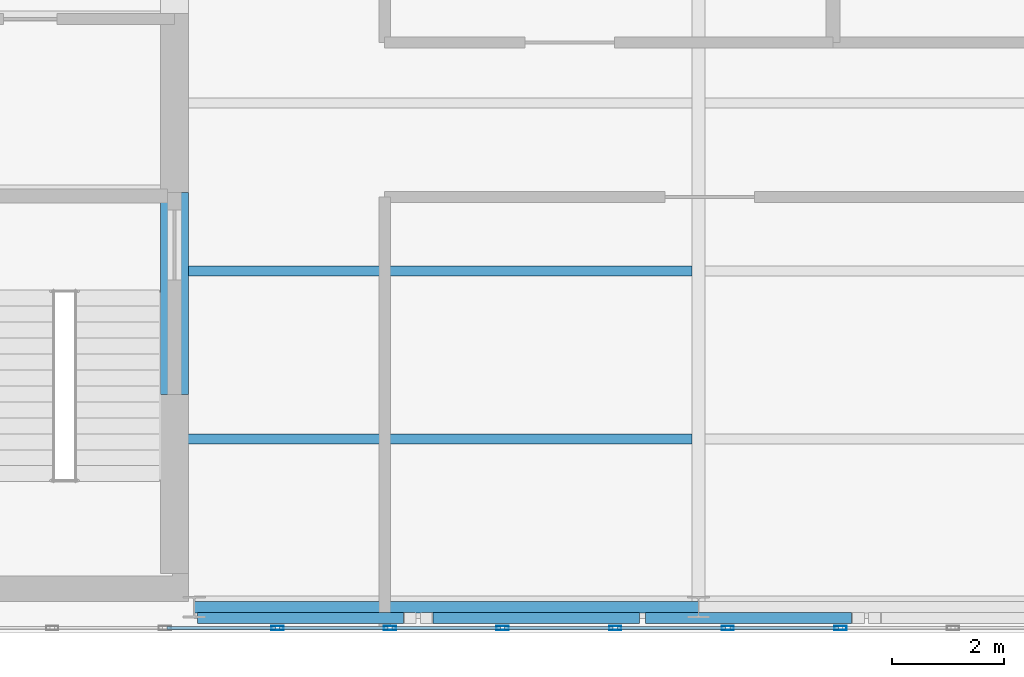
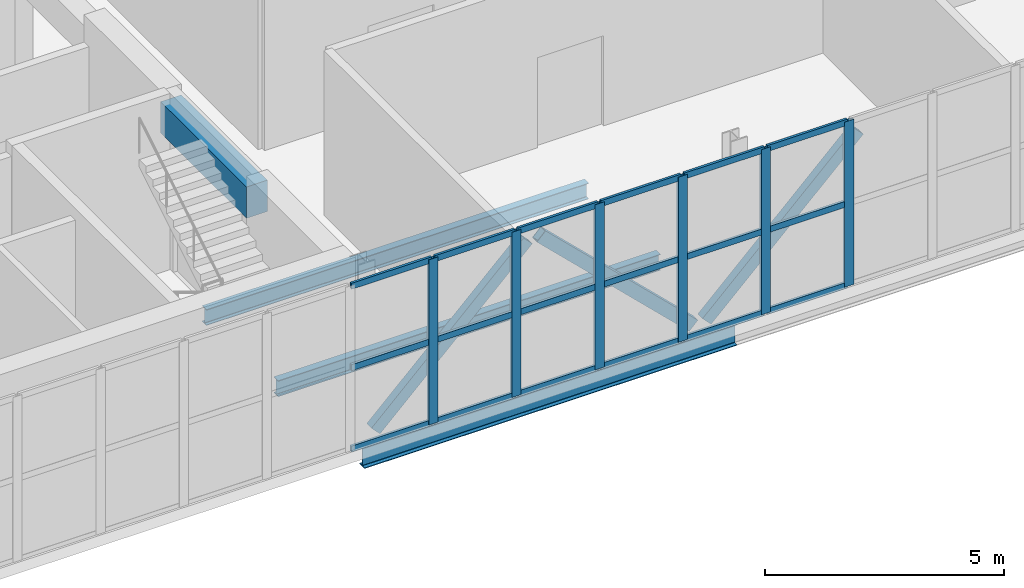
# One storey, part 6 of 21: 27 members, 4 beams, 1 element without a shape of its own.
"""IFC4 building model written with IfcOpenShell, lengths in metres."""

from ifc_helpers import new_model, si_unit, direction, frame, origin, origin_2d, place, context, subcontext, project, spatial, rectangle, hollow_rectangle, i_section, extrude, material, layer, layer_set, material_profile, profile_set, type_object, element, aggregate, save


model = new_model("IFC4")

# Units and contexts
model_context = context("Model", 3, precision=1e-05, world=origin(), true_north=direction((0.0, 1.0)))
body_context = subcontext(model_context, "Body", "Model", "MODEL_VIEW")
ifc_project = project(units=[si_unit("LENGTHUNIT", "METRE"), si_unit("AREAUNIT", "SQUARE_METRE"), si_unit("VOLUMEUNIT", "CUBIC_METRE"), si_unit("PLANEANGLEUNIT", "RADIAN"), si_unit("MASSUNIT", "GRAM", prefix="KILO")], contexts=[model_context])

# Site, building, storey
site_placement = place(None, origin())
site = spatial("IfcSite", under=ifc_project, at=site_placement, CompositionType="ELEMENT")
building_placement = place(site_placement, origin())
building = spatial("IfcBuilding", under=site, at=building_placement, Name="Mawjdan Bourse Tower", CompositionType="ELEMENT")
storey_placement = place(building_placement, frame((0.0, 0.0, 313.199951171875)))
storey = spatial("IfcBuildingStorey", under=building, at=storey_placement, Name="L77", CompositionType="ELEMENT", Elevation=313.199951171875)

# Members
ifc_material_1 = material(Name="Structural Steel S460", Category="steel")
ifc_material_profile_1 = material_profile(ifc_material_1, hollow_rectangle(XDim=0.199951171875, YDim=0.300048828125, WallThickness=0.012451171875, at=origin_2d()), Name="HSS300X200X12.5")
ifc_profile_set_1 = profile_set([ifc_material_profile_1], Name="Structural Steel S460")
member_type_1 = type_object("IfcMemberType", Name="BRC-HSS300X200X12.5", PredefinedType="BRACE", material=ifc_profile_set_1)
for number, where, z_axis, x_axis, name in (
    (1, (24.159912109375, 2.81005859375, 0.199951171875), (0.717762646976, 0.0, 0.696287859011), (0.0, 1.0, 0.0), "L77 Lantern Crown Braced Frame South Diagonal 1"),
    (2, (28.159912109375, 2.81005859375, 3.77001953125), (0.717762646976, 0.0, -0.696287859011), (0.0, 1.0, 0.0), "L77 Lantern Crown Braced Frame South Diagonal 2"),
    (3, (32.159912109375, 2.81005859375, 0.199951171875), (0.717762646976, 0.0, 0.696287859011), (0.0, 1.0, 0.0), "L77 Lantern Crown Braced Frame South Diagonal 3"),
):
    element("IfcMember", number, at=place(storey_placement, frame(where, z_axis=z_axis, x_axis=x_axis)), inside=storey, type_object=member_type_1, Name=name, PredefinedType="BRACE", context=body_context, shape_type="SweptSolid", body=[
        extrude(hollow_rectangle(XDim=0.199951171875, YDim=0.300048828125, WallThickness=0.012451171875, at=origin_2d()), origin(), (0.0, 0.0, 1.0), 5.127197265625),
    ])

# Beams
ifc_material_2 = material(Name="Structural Steel S355", Category="steel")
ifc_material_profile_2 = material_profile(ifc_material_2, i_section(OverallWidth=0.177978515625, OverallDepth=0.406982421875, WebThickness=0.0078125, FlangeThickness=0.0126953125, FilletRadius=0.01025390625, at=origin_2d()), Name="W16X40")
ifc_profile_set_2 = profile_set([ifc_material_profile_2], Name="Structural Steel S355")
beam_type_1 = type_object("IfcBeamType", Name="JST-W16X40", PredefinedType="JOIST", material=ifc_profile_set_2)
for number, where, z_axis, x_axis, name in (
    (4, (23.64990234375, 6.0, -0.4833984375), (1.0, 0.0, 0.0), (0.0, 1.0, 0.0), "L77 East Wing Composite Joist 011"),
    (5, (23.64990234375, 9.0, -0.4833984375), (1.0, 0.0, 0.0), (0.0, 1.0, 0.0), "L77 East Wing Composite Joist 014"),
):
    element("IfcBeam", number, at=place(storey_placement, frame(where, z_axis=z_axis, x_axis=x_axis)), inside=storey, type_object=beam_type_1, Name=name, PredefinedType="JOIST", context=body_context, shape_type="SweptSolid", body=[
        extrude(i_section(OverallWidth=0.177978515625, OverallDepth=0.406982421875, WebThickness=0.0078125, FlangeThickness=0.0126953125, FilletRadius=0.01025390625, at=origin_2d()), origin(), (0.0, 0.0, 1.0), 9.237060546875),
    ])
ifc_material_3 = material(Name="Concrete C70/85", Category="concrete")
ifc_material_profile_3 = material_profile(ifc_material_3, rectangle(XDim=0.5, YDim=0.800048828125, at=origin_2d()), Name="RCB500X800")
ifc_profile_set_3 = profile_set([ifc_material_profile_3], Name="Concrete C70/85")
beam_type_2 = type_object("IfcBeamType", Name="LNT-RCB500X800", PredefinedType="LINTEL", material=ifc_profile_set_3)
beam_1_placement = place(storey_placement, frame((23.64990234375, 6.800048828125, 3.820068359375), z_axis=(0.0, 1.0, 0.0), x_axis=(-1.0, 0.0, 0.0)))
element("IfcBeam", 6, at=beam_1_placement, inside=storey, type_object=beam_type_2, Name="L77 Coupled Core Lintel CB-E1", PredefinedType="LINTEL", context=body_context, shape_type="SweptSolid", body=[
    extrude(rectangle(XDim=0.5, YDim=0.800048828125, at=origin_2d()), origin(), (0.0, 0.0, 1.0), 3.599853515625),
])

# Curtain wall, members
ifc_material_4 = material(Name="Thermally Broken Aluminium and Solar Glass", Category="aluminium")
ifc_layer = layer(ifc_material_4, 0.219970703125)
ifc_layer_set = layer_set([ifc_layer], Name="Thermally Broken Aluminium and Solar Glass")
curtain_wall_type = type_object("IfcCurtainWallType", Name="CW-CRN", PredefinedType="USERDEFINED", material=ifc_layer_set)
curtain_wall_placement = place(storey_placement, origin())
curtain_wall = element("IfcCurtainWall", 7, at=curtain_wall_placement, inside=storey, type_object=curtain_wall_type, Name="L77 Lantern Crown South Curtain Wall", ObjectType="LANTERN GLAZED CROWN", PredefinedType="USERDEFINED")
ifc_material_5 = material(Name="Thermally Broken Anodised Aluminium", Category="aluminium")
ifc_material_profile_4 = material_profile(ifc_material_5, hollow_rectangle(XDim=0.074951171875, YDim=0.219970703125, WallThickness=0.0048828125, at=origin_2d()), Name="ALU-MUL-220X75")
ifc_profile_set_4 = profile_set([ifc_material_profile_4], Name="Thermally Broken Anodised Aluminium")
member_type_2 = type_object("IfcMemberType", Name="MUL-ALU-MUL-220X75", PredefinedType="MULLION", material=ifc_profile_set_4)
member_1_placement = place(storey_placement, frame((25.485595703125, 2.6298828125, 0.0), z_axis=(0.0, 0.0, 1.0), x_axis=(0.0, 1.0, 0.0)))
member_1 = element("IfcMember", 8, at=member_1_placement, type_object=member_type_2, Name="CW-CRN-L77-CRN-S mullion 10", PredefinedType="MULLION", context=body_context, shape_type="SweptSolid", body=[
    extrude(hollow_rectangle(XDim=0.074951171875, YDim=0.219970703125, WallThickness=0.0048828125, at=origin_2d()), origin(), (0.0, 0.0, 1.0), 4.219970703125),
])
member_2_placement = place(storey_placement, frame((27.4951171875, 2.6298828125, 0.0), z_axis=(0.0, 0.0, 1.0), x_axis=(0.0, 1.0, 0.0)))
member_2 = element("IfcMember", 9, at=member_2_placement, type_object=member_type_2, Name="CW-CRN-L77-CRN-S mullion 11", PredefinedType="MULLION", context=body_context, shape_type="SweptSolid", body=[
    extrude(hollow_rectangle(XDim=0.074951171875, YDim=0.219970703125, WallThickness=0.0048828125, at=origin_2d()), origin(), (0.0, 0.0, 1.0), 4.219970703125),
])
member_3_placement = place(storey_placement, frame((29.5048828125, 2.6298828125, 0.0), z_axis=(0.0, 0.0, 1.0), x_axis=(0.0, 1.0, 0.0)))
member_3 = element("IfcMember", 10, at=member_3_placement, type_object=member_type_2, Name="CW-CRN-L77-CRN-S mullion 12", PredefinedType="MULLION", context=body_context, shape_type="SweptSolid", body=[
    extrude(hollow_rectangle(XDim=0.074951171875, YDim=0.219970703125, WallThickness=0.0048828125, at=origin_2d()), origin(), (0.0, 0.0, 1.0), 4.219970703125),
])
member_4_placement = place(storey_placement, frame((31.514404296875, 2.6298828125, 0.0), z_axis=(0.0, 0.0, 1.0), x_axis=(0.0, 1.0, 0.0)))
member_4 = element("IfcMember", 11, at=member_4_placement, type_object=member_type_2, Name="CW-CRN-L77-CRN-S mullion 13", PredefinedType="MULLION", context=body_context, shape_type="SweptSolid", body=[
    extrude(hollow_rectangle(XDim=0.074951171875, YDim=0.219970703125, WallThickness=0.0048828125, at=origin_2d()), origin(), (0.0, 0.0, 1.0), 4.219970703125),
])
member_5_placement = place(storey_placement, frame((33.52392578125, 2.6298828125, 0.0), z_axis=(0.0, 0.0, 1.0), x_axis=(0.0, 1.0, 0.0)))
member_5 = element("IfcMember", 12, at=member_5_placement, type_object=member_type_2, Name="CW-CRN-L77-CRN-S mullion 14", PredefinedType="MULLION", context=body_context, shape_type="SweptSolid", body=[
    extrude(hollow_rectangle(XDim=0.074951171875, YDim=0.219970703125, WallThickness=0.0048828125, at=origin_2d()), origin(), (0.0, 0.0, 1.0), 4.219970703125),
])
member_6_placement = place(storey_placement, frame((35.533447265625, 2.6298828125, 0.0), z_axis=(0.0, 0.0, 1.0), x_axis=(0.0, 1.0, 0.0)))
member_6 = element("IfcMember", 13, at=member_6_placement, type_object=member_type_2, Name="CW-CRN-L77-CRN-S mullion 15", PredefinedType="MULLION", context=body_context, shape_type="SweptSolid", body=[
    extrude(hollow_rectangle(XDim=0.074951171875, YDim=0.219970703125, WallThickness=0.0048828125, at=origin_2d()), origin(), (0.0, 0.0, 1.0), 4.219970703125),
])

# Beam
ifc_material_profile_5 = material_profile(ifc_material_2, i_section(OverallWidth=0.2099609375, OverallDepth=0.537109375, WebThickness=0.010986328125, FlangeThickness=0.017333984375, FilletRadius=0.013916015625, at=origin_2d()), Name="W21X68")
ifc_profile_set_5 = profile_set([ifc_material_profile_5], Name="Structural Steel S355")
beam_type_3 = type_object("IfcBeamType", Name="SPN-W21X68", PredefinedType="SPANDREL", material=ifc_profile_set_5)
beam_2_placement = place(storey_placement, frame((24.0, 3.0, -0.54833984375), z_axis=(1.0, 0.0, 0.0), x_axis=(0.0, 1.0, 0.0)))
element("IfcBeam", 14, at=beam_2_placement, inside=storey, type_object=beam_type_3, Name="L77 Perimeter Masonry-Shelf Spandrel 005", PredefinedType="SPANDREL", context=body_context, shape_type="SweptSolid", body=[
    extrude(i_section(OverallWidth=0.2099609375, OverallDepth=0.537109375, WebThickness=0.010986328125, FlangeThickness=0.017333984375, FilletRadius=0.013916015625, at=origin_2d()), origin(), (0.0, 0.0, 1.0), 9.0),
])

# Member
ifc_material_profile_6 = material_profile(ifc_material_5, hollow_rectangle(XDim=0.06005859375, YDim=0.155029296875, WallThickness=0.00390625, at=origin_2d()), Name="ALU-TRN-155X60")
ifc_profile_set_6 = profile_set([ifc_material_profile_6], Name="Thermally Broken Anodised Aluminium")
member_type_3 = type_object("IfcMemberType", Name="TRN-ALU-TRN-155X60", PredefinedType="USERDEFINED", material=ifc_profile_set_6)
member_7_placement = place(storey_placement, frame((23.513671875, 2.6298828125, 0.030029296875), z_axis=(1.0, 0.0, 0.0), x_axis=(0.0, 1.0, 0.0)))
member_7 = element("IfcMember", 15, at=member_7_placement, type_object=member_type_3, Name="CW-CRN-L77-CRN-S transom 9.1", ObjectType="TRANSOM", PredefinedType="USERDEFINED", context=body_context, shape_type="SweptSolid", body=[
    extrude(hollow_rectangle(XDim=0.06005859375, YDim=0.155029296875, WallThickness=0.00390625, at=origin_2d()), origin(), (0.0, 0.0, 1.0), 1.9345703125),
])

member_8_placement = place(storey_placement, frame((23.513671875, 2.6298828125, 2.110107421875), z_axis=(1.0, 0.0, 0.0), x_axis=(0.0, 1.0, 0.0)))
member_8 = element("IfcMember", 16, at=member_8_placement, type_object=member_type_3, Name="CW-CRN-L77-CRN-S transom 9.2", ObjectType="TRANSOM", PredefinedType="USERDEFINED", context=body_context, shape_type="SweptSolid", body=[
    extrude(hollow_rectangle(XDim=0.06005859375, YDim=0.155029296875, WallThickness=0.00390625, at=origin_2d()), origin(), (0.0, 0.0, 1.0), 1.9345703125),
])

member_9_placement = place(storey_placement, frame((23.513671875, 2.6298828125, 4.18994140625), z_axis=(1.0, 0.0, 0.0), x_axis=(0.0, 1.0, 0.0)))
member_9 = element("IfcMember", 17, at=member_9_placement, type_object=member_type_3, Name="CW-CRN-L77-CRN-S transom 9.3", ObjectType="TRANSOM", PredefinedType="USERDEFINED", context=body_context, shape_type="SweptSolid", body=[
    extrude(hollow_rectangle(XDim=0.06005859375, YDim=0.155029296875, WallThickness=0.00390625, at=origin_2d()), origin(), (0.0, 0.0, 1.0), 1.9345703125),
])

member_10_placement = place(storey_placement, frame((25.523193359375, 2.6298828125, 0.030029296875), z_axis=(1.0, 0.0, 0.0), x_axis=(0.0, 1.0, 0.0)))
member_10 = element("IfcMember", 18, at=member_10_placement, type_object=member_type_3, Name="CW-CRN-L77-CRN-S transom 10.1", ObjectType="TRANSOM", PredefinedType="USERDEFINED", context=body_context, shape_type="SweptSolid", body=[
    extrude(hollow_rectangle(XDim=0.06005859375, YDim=0.155029296875, WallThickness=0.00390625, at=origin_2d()), origin(), (0.0, 0.0, 1.0), 1.9345703125),
])

member_11_placement = place(storey_placement, frame((25.523193359375, 2.6298828125, 2.110107421875), z_axis=(1.0, 0.0, 0.0), x_axis=(0.0, 1.0, 0.0)))
member_11 = element("IfcMember", 19, at=member_11_placement, type_object=member_type_3, Name="CW-CRN-L77-CRN-S transom 10.2", ObjectType="TRANSOM", PredefinedType="USERDEFINED", context=body_context, shape_type="SweptSolid", body=[
    extrude(hollow_rectangle(XDim=0.06005859375, YDim=0.155029296875, WallThickness=0.00390625, at=origin_2d()), origin(), (0.0, 0.0, 1.0), 1.9345703125),
])

member_12_placement = place(storey_placement, frame((25.523193359375, 2.6298828125, 4.18994140625), z_axis=(1.0, 0.0, 0.0), x_axis=(0.0, 1.0, 0.0)))
member_12 = element("IfcMember", 20, at=member_12_placement, type_object=member_type_3, Name="CW-CRN-L77-CRN-S transom 10.3", ObjectType="TRANSOM", PredefinedType="USERDEFINED", context=body_context, shape_type="SweptSolid", body=[
    extrude(hollow_rectangle(XDim=0.06005859375, YDim=0.155029296875, WallThickness=0.00390625, at=origin_2d()), origin(), (0.0, 0.0, 1.0), 1.9345703125),
])

member_13_placement = place(storey_placement, frame((27.53271484375, 2.6298828125, 0.030029296875), z_axis=(1.0, 0.0, 0.0), x_axis=(0.0, 1.0, 0.0)))
member_13 = element("IfcMember", 21, at=member_13_placement, type_object=member_type_3, Name="CW-CRN-L77-CRN-S transom 11.1", ObjectType="TRANSOM", PredefinedType="USERDEFINED", context=body_context, shape_type="SweptSolid", body=[
    extrude(hollow_rectangle(XDim=0.06005859375, YDim=0.155029296875, WallThickness=0.00390625, at=origin_2d()), origin(), (0.0, 0.0, 1.0), 1.9345703125),
])

member_14_placement = place(storey_placement, frame((27.53271484375, 2.6298828125, 2.110107421875), z_axis=(1.0, 0.0, 0.0), x_axis=(0.0, 1.0, 0.0)))
member_14 = element("IfcMember", 22, at=member_14_placement, type_object=member_type_3, Name="CW-CRN-L77-CRN-S transom 11.2", ObjectType="TRANSOM", PredefinedType="USERDEFINED", context=body_context, shape_type="SweptSolid", body=[
    extrude(hollow_rectangle(XDim=0.06005859375, YDim=0.155029296875, WallThickness=0.00390625, at=origin_2d()), origin(), (0.0, 0.0, 1.0), 1.9345703125),
])

member_15_placement = place(storey_placement, frame((27.53271484375, 2.6298828125, 4.18994140625), z_axis=(1.0, 0.0, 0.0), x_axis=(0.0, 1.0, 0.0)))
member_15 = element("IfcMember", 23, at=member_15_placement, type_object=member_type_3, Name="CW-CRN-L77-CRN-S transom 11.3", ObjectType="TRANSOM", PredefinedType="USERDEFINED", context=body_context, shape_type="SweptSolid", body=[
    extrude(hollow_rectangle(XDim=0.06005859375, YDim=0.155029296875, WallThickness=0.00390625, at=origin_2d()), origin(), (0.0, 0.0, 1.0), 1.9345703125),
])

member_16_placement = place(storey_placement, frame((29.542236328125, 2.6298828125, 0.030029296875), z_axis=(1.0, 0.0, 0.0), x_axis=(0.0, 1.0, 0.0)))
member_16 = element("IfcMember", 24, at=member_16_placement, type_object=member_type_3, Name="CW-CRN-L77-CRN-S transom 12.1", ObjectType="TRANSOM", PredefinedType="USERDEFINED", context=body_context, shape_type="SweptSolid", body=[
    extrude(hollow_rectangle(XDim=0.06005859375, YDim=0.155029296875, WallThickness=0.00390625, at=origin_2d()), origin(), (0.0, 0.0, 1.0), 1.9345703125),
])

member_17_placement = place(storey_placement, frame((29.542236328125, 2.6298828125, 2.110107421875), z_axis=(1.0, 0.0, 0.0), x_axis=(0.0, 1.0, 0.0)))
member_17 = element("IfcMember", 25, at=member_17_placement, type_object=member_type_3, Name="CW-CRN-L77-CRN-S transom 12.2", ObjectType="TRANSOM", PredefinedType="USERDEFINED", context=body_context, shape_type="SweptSolid", body=[
    extrude(hollow_rectangle(XDim=0.06005859375, YDim=0.155029296875, WallThickness=0.00390625, at=origin_2d()), origin(), (0.0, 0.0, 1.0), 1.9345703125),
])

member_18_placement = place(storey_placement, frame((29.542236328125, 2.6298828125, 4.18994140625), z_axis=(1.0, 0.0, 0.0), x_axis=(0.0, 1.0, 0.0)))
member_18 = element("IfcMember", 26, at=member_18_placement, type_object=member_type_3, Name="CW-CRN-L77-CRN-S transom 12.3", ObjectType="TRANSOM", PredefinedType="USERDEFINED", context=body_context, shape_type="SweptSolid", body=[
    extrude(hollow_rectangle(XDim=0.06005859375, YDim=0.155029296875, WallThickness=0.00390625, at=origin_2d()), origin(), (0.0, 0.0, 1.0), 1.9345703125),
])

member_19_placement = place(storey_placement, frame((31.5517578125, 2.6298828125, 0.030029296875), z_axis=(1.0, 0.0, 0.0), x_axis=(0.0, 1.0, 0.0)))
member_19 = element("IfcMember", 27, at=member_19_placement, type_object=member_type_3, Name="CW-CRN-L77-CRN-S transom 13.1", ObjectType="TRANSOM", PredefinedType="USERDEFINED", context=body_context, shape_type="SweptSolid", body=[
    extrude(hollow_rectangle(XDim=0.06005859375, YDim=0.155029296875, WallThickness=0.00390625, at=origin_2d()), origin(), (0.0, 0.0, 1.0), 1.9345703125),
])

member_20_placement = place(storey_placement, frame((31.5517578125, 2.6298828125, 2.110107421875), z_axis=(1.0, 0.0, 0.0), x_axis=(0.0, 1.0, 0.0)))
member_20 = element("IfcMember", 28, at=member_20_placement, type_object=member_type_3, Name="CW-CRN-L77-CRN-S transom 13.2", ObjectType="TRANSOM", PredefinedType="USERDEFINED", context=body_context, shape_type="SweptSolid", body=[
    extrude(hollow_rectangle(XDim=0.06005859375, YDim=0.155029296875, WallThickness=0.00390625, at=origin_2d()), origin(), (0.0, 0.0, 1.0), 1.9345703125),
])

member_21_placement = place(storey_placement, frame((31.5517578125, 2.6298828125, 4.18994140625), z_axis=(1.0, 0.0, 0.0), x_axis=(0.0, 1.0, 0.0)))
member_21 = element("IfcMember", 29, at=member_21_placement, type_object=member_type_3, Name="CW-CRN-L77-CRN-S transom 13.3", ObjectType="TRANSOM", PredefinedType="USERDEFINED", context=body_context, shape_type="SweptSolid", body=[
    extrude(hollow_rectangle(XDim=0.06005859375, YDim=0.155029296875, WallThickness=0.00390625, at=origin_2d()), origin(), (0.0, 0.0, 1.0), 1.9345703125),
])

member_22_placement = place(storey_placement, frame((33.561279296875, 2.6298828125, 0.030029296875), z_axis=(1.0, 0.0, 0.0), x_axis=(0.0, 1.0, 0.0)))
member_22 = element("IfcMember", 30, at=member_22_placement, type_object=member_type_3, Name="CW-CRN-L77-CRN-S transom 14.1", ObjectType="TRANSOM", PredefinedType="USERDEFINED", context=body_context, shape_type="SweptSolid", body=[
    extrude(hollow_rectangle(XDim=0.06005859375, YDim=0.155029296875, WallThickness=0.00390625, at=origin_2d()), origin(), (0.0, 0.0, 1.0), 1.9345703125),
])

member_23_placement = place(storey_placement, frame((33.561279296875, 2.6298828125, 2.110107421875), z_axis=(1.0, 0.0, 0.0), x_axis=(0.0, 1.0, 0.0)))
member_23 = element("IfcMember", 31, at=member_23_placement, type_object=member_type_3, Name="CW-CRN-L77-CRN-S transom 14.2", ObjectType="TRANSOM", PredefinedType="USERDEFINED", context=body_context, shape_type="SweptSolid", body=[
    extrude(hollow_rectangle(XDim=0.06005859375, YDim=0.155029296875, WallThickness=0.00390625, at=origin_2d()), origin(), (0.0, 0.0, 1.0), 1.9345703125),
])

member_24_placement = place(storey_placement, frame((33.561279296875, 2.6298828125, 4.18994140625), z_axis=(1.0, 0.0, 0.0), x_axis=(0.0, 1.0, 0.0)))
member_24 = element("IfcMember", 32, at=member_24_placement, type_object=member_type_3, Name="CW-CRN-L77-CRN-S transom 14.3", ObjectType="TRANSOM", PredefinedType="USERDEFINED", context=body_context, shape_type="SweptSolid", body=[
    extrude(hollow_rectangle(XDim=0.06005859375, YDim=0.155029296875, WallThickness=0.00390625, at=origin_2d()), origin(), (0.0, 0.0, 1.0), 1.9345703125),
])

aggregate(curtain_wall, [member_1, member_2, member_3, member_4, member_5, member_6, member_7, member_8, member_9, member_10, member_11, member_12, member_13, member_14, member_15, member_16, member_17, member_18, member_19, member_20, member_21, member_22, member_23, member_24])

save(model, "model.ifc")
